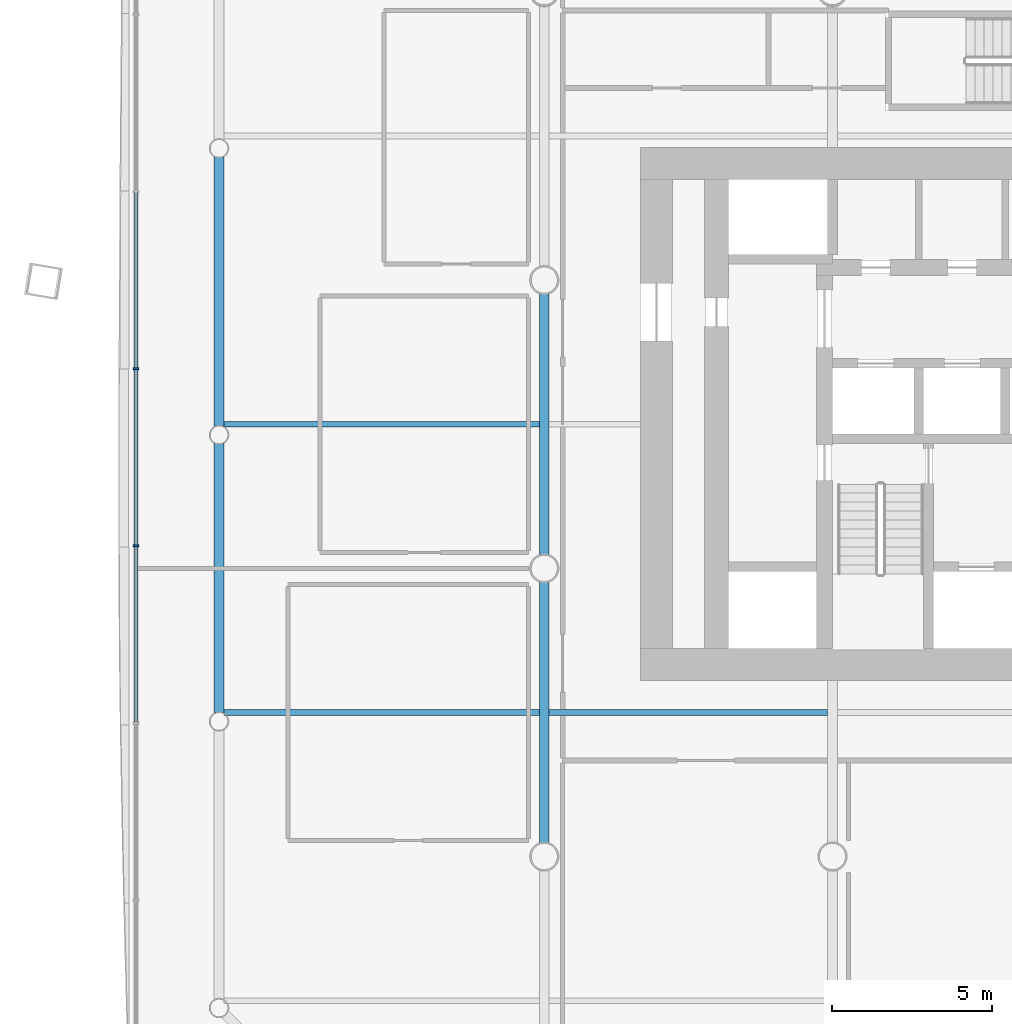
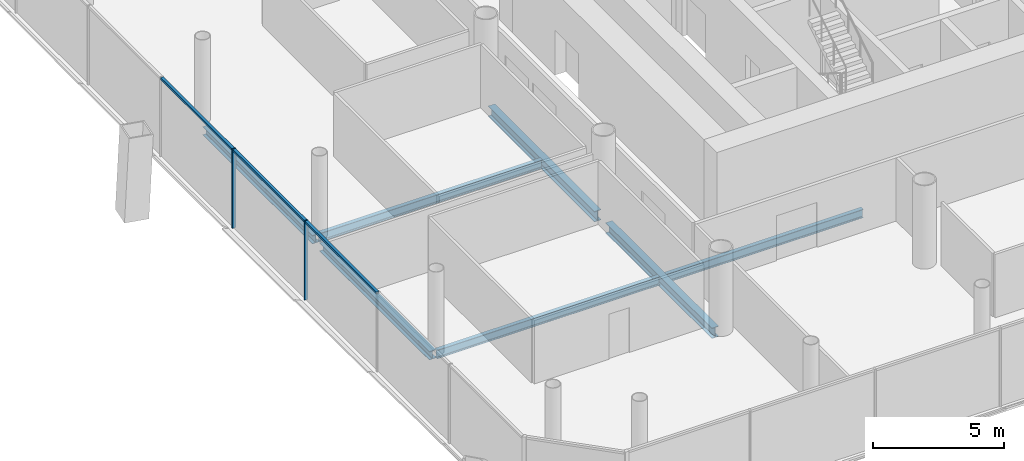
# One storey, part 4 of 23: 7 beams, 5 members, 1 element without a shape of its own.
"""IFC4 building model written with IfcOpenShell, lengths in metres."""

import ifcopenshell
import ifcopenshell.guid

model = None  # the IFC model being written
_history = None  # IfcOwnerHistory: only IFC2X3 demands one
_inside = {}  # id of a spatial element -> (the spatial element, [elements in it])
_under = {}  # id of a project, library or spatial element -> (it, [spatial elements below it])
_declared = {}  # id of a project -> (the project, [libraries it declares])
_typed = {}  # id of a type object -> (the type object, [elements of that type])
_made_of = {}  # id of a material, layer set ... -> (it, [elements and type objects made of it])


def new_model(schema):
    """Start an empty IFC model of exactly this schema.

    Asked for "IFC4X3", IfcOpenShell would pick the latest addendum, in which some entities
    have other attributes; the version numbers below select the first issue.
    IFC2X3 requires an IfcOwnerHistory on every rooted entity: one is made here for all.
    """
    global model, _history
    if schema == "IFC4X3":
        model = ifcopenshell.file(schema_version=(4, 3, 0, 0))
    else:
        model = ifcopenshell.file(schema=schema)
    _inside.clear()
    _under.clear()
    _declared.clear()
    _typed.clear()
    _made_of.clear()
    _history = None
    if model.schema == "IFC2X3":
        org = make("IfcOrganization", Name="unknown")
        user = make(
            "IfcPersonAndOrganization",
            ThePerson=make("IfcPerson", FamilyName="unknown"),
            TheOrganization=org,
        )
        app = make(
            "IfcApplication",
            ApplicationDeveloper=org,
            Version="unknown",
            ApplicationFullName="unknown",
            ApplicationIdentifier="unknown",
        )
        _history = make(
            "IfcOwnerHistory",
            OwningUser=user,
            OwningApplication=app,
            ChangeAction="ADDED",
            CreationDate=0,
        )
    return model


def make(cls, **values):
    """One entity of the class cls with the attributes given. An attribute that is None is left unset."""
    return model.create_entity(
        cls, **{name: value for name, value in values.items() if value is not None}
    )


def rooted(cls, **values):
    """An entity with a GlobalId (a new one), such as an element, a storey or a relation."""
    return make(cls, GlobalId=ifcopenshell.guid.new(), OwnerHistory=_history, **values)


def si_unit(unit_type, name, prefix=None):
    """IfcSIUnit, for example si_unit("LENGTHUNIT", "METRE", prefix="MILLI")."""
    return make("IfcSIUnit", UnitType=unit_type, Prefix=prefix, Name=name)


def assignment(units):
    """IfcUnitAssignment: the units of a project."""
    return None if units is None else make("IfcUnitAssignment", Units=units)


def point(xyz):
    """IfcCartesianPoint."""
    return None if xyz is None else make("IfcCartesianPoint", Coordinates=xyz)


def direction(xyz):
    """IfcDirection."""
    return None if xyz is None else make("IfcDirection", DirectionRatios=xyz)


def frame(location, z_axis=None, x_axis=None):
    """IfcAxis2Placement3D, a coordinate frame: its origin and axes. An axis left out is left unset."""
    return make(
        "IfcAxis2Placement3D",
        Location=point(location),
        Axis=direction(z_axis),
        RefDirection=direction(x_axis),
    )


def frame_2d(location, x_axis=None):
    """IfcAxis2Placement2D, a coordinate frame in the plane: its origin and x axis."""
    return make(
        "IfcAxis2Placement2D", Location=point(location), RefDirection=direction(x_axis)
    )


def origin():
    """The frame at (0, 0, 0) with its axes left unset."""
    return frame((0.0, 0.0, 0.0))


def origin_2d():
    """The frame at (0, 0) in the plane with its x axis left unset."""
    return frame_2d((0.0, 0.0))


def place(relative_to, where):
    """IfcLocalPlacement: puts the frame where relative to a parent placement (None: the world)."""
    return make(
        "IfcLocalPlacement", PlacementRelTo=relative_to, RelativePlacement=where
    )


def context(
    kind, dimensions, precision=None, world=None, true_north=None, identifier=None
):
    """IfcGeometricRepresentationContext, for example the 3D "Model" context."""
    return make(
        "IfcGeometricRepresentationContext",
        ContextIdentifier=identifier,
        ContextType=kind,
        CoordinateSpaceDimension=dimensions,
        Precision=precision,
        WorldCoordinateSystem=world,
        TrueNorth=true_north,
    )


def subcontext(parent, identifier, kind, view, scale=None):
    """IfcGeometricRepresentationSubContext, for example "Body" below "Model"."""
    return make(
        "IfcGeometricRepresentationSubContext",
        ContextIdentifier=identifier,
        ContextType=kind,
        ParentContext=parent,
        TargetScale=scale,
        TargetView=view,
    )


def project(units=None, contexts=None):
    """IfcProject with its units and contexts."""
    return rooted(
        "IfcProject",
        Name="project",
        RepresentationContexts=contexts,
        UnitsInContext=assignment(units),
    )


def spatial(cls, under=None, at=None, **own):
    """A site, building, storey or space (cls), placed at a placement, below another one or the project."""
    s = rooted(cls, ObjectPlacement=at, **own)
    if under is not None:
        _under.setdefault(under.id(), (under, []))[1].append(s)
    return s


def profile(cls, at=None, kind="AREA", **sizes):
    """A parametric profile (cls). Its sizes go by their IFC names, for example OverallWidth=200.0."""
    return make(cls, ProfileType=kind, Position=at, **sizes)


def rectangle(**sizes):
    """IfcRectangleProfileDef."""
    return profile("IfcRectangleProfileDef", **sizes)


def i_section(**sizes):
    """IfcIShapeProfileDef."""
    return profile("IfcIShapeProfileDef", **sizes)


def extrude(swept, where, along, depth):
    """IfcExtrudedAreaSolid: the profile swept, set in the frame where, extruded along a direction by depth."""
    return make(
        "IfcExtrudedAreaSolid",
        SweptArea=swept,
        Position=where,
        ExtrudedDirection=direction(along),
        Depth=depth,
    )


def shape(context_of_items, identifier, shape_type, items):
    """IfcShapeRepresentation: the items that make up one representation, for example the "Body"."""
    return make(
        "IfcShapeRepresentation",
        ContextOfItems=context_of_items,
        RepresentationIdentifier=identifier,
        RepresentationType=shape_type,
        Items=items,
    )


def material(Name=None, Category=None):
    """IfcMaterial."""
    return make("IfcMaterial", Name=Name, Category=Category)


def material_profile(
    of_material, cross_section, Name=None, Category=None, Priority=None
):
    """IfcMaterialProfile: a cross section and its material."""
    return make(
        "IfcMaterialProfile",
        Name=Name,
        Material=of_material,
        Profile=cross_section,
        Priority=Priority,
        Category=Category,
    )


def profile_set(profiles, Name=None, composite=None):
    """IfcMaterialProfileSet."""
    return make(
        "IfcMaterialProfileSet",
        Name=Name,
        MaterialProfiles=profiles,
        CompositeProfile=composite,
    )


def made_of(thing, what):
    """Note that an element or type object is made of a material, layer set ...; save() writes the relation."""
    if what is not None:
        _made_of.setdefault(what.id(), (what, []))[1].append(thing)
    return thing


def type_object(cls, material=None, **own):
    """A type object (cls), such as IfcWallType, which elements share."""
    return made_of(rooted(cls, **own), material)


def element(
    cls,
    number,
    at=None,
    inside=None,
    cuts=None,
    type_object=None,
    material=None,
    context=None,
    identifier="Body",
    shape_type=None,
    held_by="IfcProductDefinitionShape",
    body=None,
    shapes=None,
    **own,
):
    """One element of the class cls, such as IfcWall. Its Tag is "e" and its number.

    at: its placement. inside: the storey or other place that contains it. cuts: it is an
    opening in that element (IfcRelVoidsElement). A single representation is given by context,
    identifier, shape_type and body (its items); several are given by shapes. held_by: the class
    of the entity that holds the representations. save() writes the other relations.
    """
    e = rooted(cls, Tag="e%d" % number, ObjectPlacement=at, **own)
    if body is not None:
        shapes = [shape(context, identifier, shape_type, body)]
    if shapes is not None:
        e.Representation = make(held_by, Representations=shapes)
    if inside is not None:
        _inside.setdefault(inside.id(), (inside, []))[1].append(e)
    if cuts is not None:
        rooted(
            "IfcRelVoidsElement", RelatingBuildingElement=cuts, RelatedOpeningElement=e
        )
    if type_object is not None:
        _typed.setdefault(type_object.id(), (type_object, []))[1].append(e)
    return made_of(e, material)


def aggregate(whole, parts):
    """IfcRelAggregates: a whole, such as a stair, and the parts it consists of."""
    return rooted("IfcRelAggregates", RelatingObject=whole, RelatedObjects=parts)


def save(model, path):
    """Write the relations noted so far, then the file.

    IfcRelAggregates (storeys below a building ...), IfcRelContainedInSpatialStructure (elements
    in a storey), IfcRelDefinesByType, IfcRelAssociatesMaterial and IfcRelDeclares: one each for
    every whole, place, type object, material and project.
    """
    for whole, parts in _under.values():
        aggregate(whole, parts)
    for where, things in _inside.values():
        rooted(
            "IfcRelContainedInSpatialStructure",
            RelatedElements=things,
            RelatingStructure=where,
        )
    for kind, things in _typed.values():
        rooted("IfcRelDefinesByType", RelatedObjects=things, RelatingType=kind)
    for what, things in _made_of.values():
        rooted("IfcRelAssociatesMaterial", RelatedObjects=things, RelatingMaterial=what)
    for by, libraries in _declared.values():
        rooted("IfcRelDeclares", RelatingContext=by, RelatedDefinitions=libraries)
    model.write(path)


model = new_model("IFC4")

# Units and contexts
model_context = context("Model", 3, precision=1e-05, world=origin(), true_north=direction((0.0, 1.0)))
body_context = subcontext(model_context, "Body", "Model", "MODEL_VIEW")
ifc_project = project(units=[si_unit("LENGTHUNIT", "METRE"), si_unit("AREAUNIT", "SQUARE_METRE"), si_unit("VOLUMEUNIT", "CUBIC_METRE"), si_unit("PLANEANGLEUNIT", "RADIAN"), si_unit("MASSUNIT", "GRAM", prefix="KILO")], contexts=[model_context])

# Site, building, storey
site_placement = place(None, origin())
site = spatial("IfcSite", under=ifc_project, at=site_placement, CompositionType="ELEMENT")
building_placement = place(site_placement, origin())
building = spatial("IfcBuilding", under=site, at=building_placement, Name="Tskaro Facet Tower", CompositionType="ELEMENT")
storey_placement = place(building_placement, frame((0.0, 0.0, 14.699951171875)))
storey = spatial("IfcBuildingStorey", under=building, at=storey_placement, Name="L02", CompositionType="ELEMENT", Elevation=14.699951171875)

# Curtain wall, members
ifc_material_1 = material(Name="Bronze anodised aluminium 6063-T6", Category="aluminium")
curtain_wall_type = type_object("IfcCurtainWallType", Name="Bronze office curtain wall (FW1)", PredefinedType="NOTDEFINED", material=ifc_material_1)
curtain_wall_placement = place(storey_placement, origin())
curtain_wall = element("IfcCurtainWall", 1, at=curtain_wall_placement, inside=storey, type_object=curtain_wall_type, Name="FW1 west facet L02", PredefinedType="NOTDEFINED")
ifc_material_profile_1 = material_profile(ifc_material_1, rectangle(XDim=0.06005859375, YDim=0.159912109375, at=origin_2d()), Name="Mullion 60x160")
ifc_profile_set_1 = profile_set([ifc_material_profile_1], Name="Bronze anodised aluminium 6063-T6")
member_type_1 = type_object("IfcMemberType", Name="FW1 bronze mullion 60x160", PredefinedType="MULLION", material=ifc_profile_set_1)
member_1_placement = place(storey_placement, frame((-30.75, -2.76611328125, 0.0), z_axis=(0.0, 0.0, 1.0), x_axis=(0.0, -1.0, 0.0)))
member_1 = element("IfcMember", 2, at=member_1_placement, type_object=member_type_1, Name="FW1 west mullion 5", PredefinedType="MULLION", context=body_context, shape_type="SweptSolid", body=[
    extrude(rectangle(XDim=0.06005859375, YDim=0.159912109375, at=origin_2d()), origin(), (0.0, 0.0, 1.0), 3.699951171875),
])
member_2_placement = place(storey_placement, frame((-30.75, -8.298583984375, 0.0), z_axis=(0.0, 0.0, 1.0), x_axis=(0.0, -1.0, 0.0)))
member_2 = element("IfcMember", 3, at=member_2_placement, type_object=member_type_1, Name="FW1 west mullion 6", PredefinedType="MULLION", context=body_context, shape_type="SweptSolid", body=[
    extrude(rectangle(XDim=0.06005859375, YDim=0.159912109375, at=origin_2d()), origin(), (0.0, 0.0, 1.0), 3.699951171875),
])
ifc_material_profile_2 = material_profile(ifc_material_1, rectangle(XDim=0.1201171875, YDim=0.10009765625, at=origin_2d()), Name="Transom 120x100")
ifc_profile_set_2 = profile_set([ifc_material_profile_2], Name="Bronze anodised aluminium 6063-T6")
member_type_2 = type_object("IfcMemberType", Name="FW1 bronze transom 120x100", PredefinedType="USERDEFINED", material=ifc_profile_set_2)
member_3_placement = place(storey_placement, frame((-30.75, 2.736328125, 3.650146484375), z_axis=(0.0, -1.0, 0.0), x_axis=(1.0, 0.0, 0.0)))
member_3 = element("IfcMember", 4, at=member_3_placement, type_object=member_type_2, Name="FW1 west transom 5.1", ObjectType="TRANSOM", PredefinedType="USERDEFINED", context=body_context, shape_type="SweptSolid", body=[
    extrude(rectangle(XDim=0.1201171875, YDim=0.10009765625, at=origin_2d()), origin(), (0.0, 0.0, 1.0), 5.47265625),
])
member_4_placement = place(storey_placement, frame((-30.75, -2.796142578125, 3.650146484375), z_axis=(0.0, -1.0, 0.0), x_axis=(1.0, 0.0, 0.0)))
member_4 = element("IfcMember", 5, at=member_4_placement, type_object=member_type_2, Name="FW1 west transom 6.1", ObjectType="TRANSOM", PredefinedType="USERDEFINED", context=body_context, shape_type="SweptSolid", body=[
    extrude(rectangle(XDim=0.1201171875, YDim=0.10009765625, at=origin_2d()), origin(), (0.0, 0.0, 1.0), 5.472412109375),
])
member_5_placement = place(storey_placement, frame((-30.75, -8.32861328125, 3.650146484375), z_axis=(0.0, -1.0, 0.0), x_axis=(1.0, 0.0, 0.0)))
member_5 = element("IfcMember", 6, at=member_5_placement, type_object=member_type_2, Name="FW1 west transom 7.1", ObjectType="TRANSOM", PredefinedType="USERDEFINED", context=body_context, shape_type="SweptSolid", body=[
    extrude(rectangle(XDim=0.1201171875, YDim=0.10009765625, at=origin_2d()), origin(), (0.0, 0.0, 1.0), 5.472412109375),
])
aggregate(curtain_wall, [member_1, member_2, member_3, member_4, member_5])

# Beams
ifc_material_2 = material(Name="Steel S355J2", Category="steel")
ifc_material_profile_3 = material_profile(ifc_material_2, i_section(OverallWidth=0.300048828125, OverallDepth=0.39990234375, WebThickness=0.013427734375, FlangeThickness=0.02392578125, FilletRadius=0.027099609375, at=origin_2d()), Name="HE 400 B")
ifc_profile_set_3 = profile_set([ifc_material_profile_3], Name="Steel S355J2")
beam_type_1 = type_object("IfcBeamType", Name="HE 400 B ring beam", PredefinedType="BEAM", material=ifc_profile_set_3)
beam_1_placement = place(storey_placement, frame((-28.156982421875, 3.841064453125, -0.33984375), z_axis=(0.0, -1.0, 0.0), x_axis=(1.0, 0.0, 0.0)))
element("IfcBeam", 7, at=beam_1_placement, inside=storey, type_object=beam_type_1, Name="HE 400 B EB22-1", PredefinedType="BEAM", context=body_context, shape_type="SweptSolid", body=[
    extrude(i_section(OverallWidth=0.300048828125, OverallDepth=0.39990234375, WebThickness=0.013427734375, FlangeThickness=0.02392578125, FilletRadius=0.027099609375, at=origin_2d()), origin(), (0.0, 0.0, 1.0), 8.399169921875),
])
beam_2_placement = place(storey_placement, frame((-28.156982421875, -5.10791015625, -0.33984375), z_axis=(0.0, -1.0, 0.0), x_axis=(1.0, 0.0, 0.0)))
element("IfcBeam", 8, at=beam_2_placement, inside=storey, type_object=beam_type_1, Name="HE 400 B EB23-1", PredefinedType="BEAM", context=body_context, shape_type="SweptSolid", body=[
    extrude(i_section(OverallWidth=0.300048828125, OverallDepth=0.39990234375, WebThickness=0.013427734375, FlangeThickness=0.02392578125, FilletRadius=0.027099609375, at=origin_2d()), origin(), (0.0, 0.0, 1.0), 8.398193359375),
])
ifc_material_profile_4 = material_profile(ifc_material_2, i_section(OverallWidth=0.300048828125, OverallDepth=0.489990234375, WebThickness=0.011962890625, FlangeThickness=0.02294921875, FilletRadius=0.027099609375, at=origin_2d()), Name="HE 500 A")
ifc_profile_set_4 = profile_set([ifc_material_profile_4], Name="Steel S355J2")
beam_type_2 = type_object("IfcBeamType", Name="HE 500 A girder", PredefinedType="BEAM", material=ifc_profile_set_4)
for number, where, z_axis, x_axis, name in (
    (9, (-18.0, -17.57275390625, -0.385009765625), (0.0, 1.0, 0.0), (-1.0, 0.0, 0.0), "HE 500 A GB2-2-1"),
    (10, (-18.0, -8.57275390625, -0.385009765625), (0.0, 1.0, 0.0), (-1.0, 0.0, 0.0), "HE 500 A GB2-3-1"),
):
    element("IfcBeam", number, at=place(storey_placement, frame(where, z_axis=z_axis, x_axis=x_axis)), inside=storey, type_object=beam_type_2, Name=name, PredefinedType="BEAM", context=body_context, shape_type="SweptSolid", body=[
        extrude(i_section(OverallWidth=0.300048828125, OverallDepth=0.489990234375, WebThickness=0.011962890625, FlangeThickness=0.02294921875, FilletRadius=0.027099609375, at=origin_2d()), origin(), (0.0, 0.0, 1.0), 8.1455078125),
    ])
ifc_material_profile_5 = material_profile(ifc_material_2, i_section(OverallWidth=0.179931640625, OverallDepth=0.39990234375, WebThickness=0.008544921875, FlangeThickness=0.013427734375, FilletRadius=0.02099609375, at=origin_2d()), Name="IPE 400")
ifc_profile_set_5 = profile_set([ifc_material_profile_5], Name="Steel S355J2")
beam_type_3 = type_object("IfcBeamType", Name="IPE 400 secondary beam", PredefinedType="BEAM", material=ifc_profile_set_5)
beam_3_placement = place(storey_placement, frame((-28.007080078125, -13.5, -0.33984375), z_axis=(1.0, 0.0, 0.0), x_axis=(0.0, 1.0, 0.0)))
element("IfcBeam", 11, at=beam_3_placement, inside=storey, type_object=beam_type_3, Name="IPE 400 SB2a-1-1", PredefinedType="BEAM", context=body_context, shape_type="SweptSolid", body=[
    extrude(i_section(OverallWidth=0.179931640625, OverallDepth=0.39990234375, WebThickness=0.008544921875, FlangeThickness=0.013427734375, FilletRadius=0.02099609375, at=origin_2d()), origin(), (0.0, 0.0, 1.0), 9.857177734375),
])
beam_4_placement = place(storey_placement, frame((-17.85009765625, -13.5, -0.33984375), z_axis=(1.0, 0.0, 0.0), x_axis=(0.0, 1.0, 0.0)))
element("IfcBeam", 12, at=beam_4_placement, inside=storey, type_object=beam_type_3, Name="IPE 400 SB2a-2-1", PredefinedType="BEAM", context=body_context, shape_type="SweptSolid", body=[
    extrude(i_section(OverallWidth=0.179931640625, OverallDepth=0.39990234375, WebThickness=0.008544921875, FlangeThickness=0.013427734375, FilletRadius=0.02099609375, at=origin_2d()), origin(), (0.0, 0.0, 1.0), 8.7001953125),
])
beam_5_placement = place(storey_placement, frame((-28.007080078125, -4.5, -0.33984375), z_axis=(1.0, 0.0, 0.0), x_axis=(0.0, 1.0, 0.0)))
element("IfcBeam", 13, at=beam_5_placement, inside=storey, type_object=beam_type_3, Name="IPE 400 SB3a-1-1", PredefinedType="BEAM", context=body_context, shape_type="SweptSolid", body=[
    extrude(i_section(OverallWidth=0.179931640625, OverallDepth=0.39990234375, WebThickness=0.008544921875, FlangeThickness=0.013427734375, FilletRadius=0.02099609375, at=origin_2d()), origin(), (0.0, 0.0, 1.0), 9.857177734375),
])

save(model, "model.ifc")
